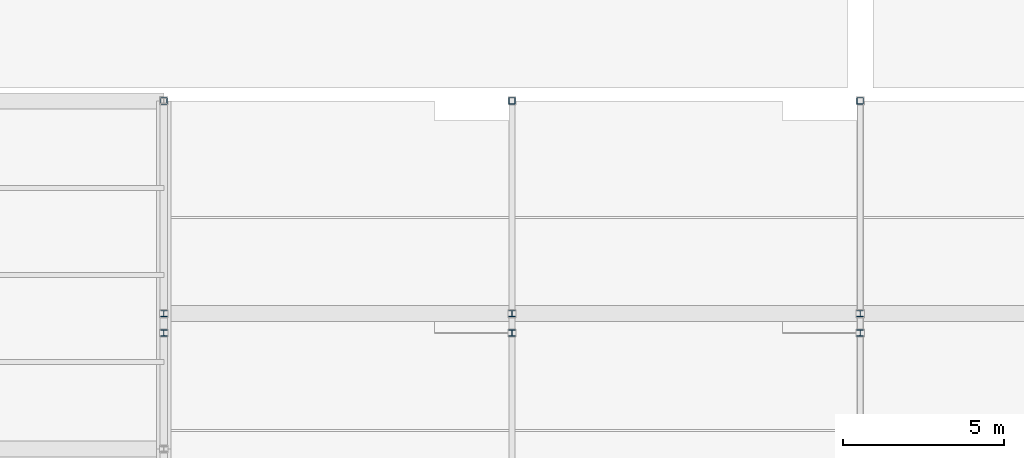
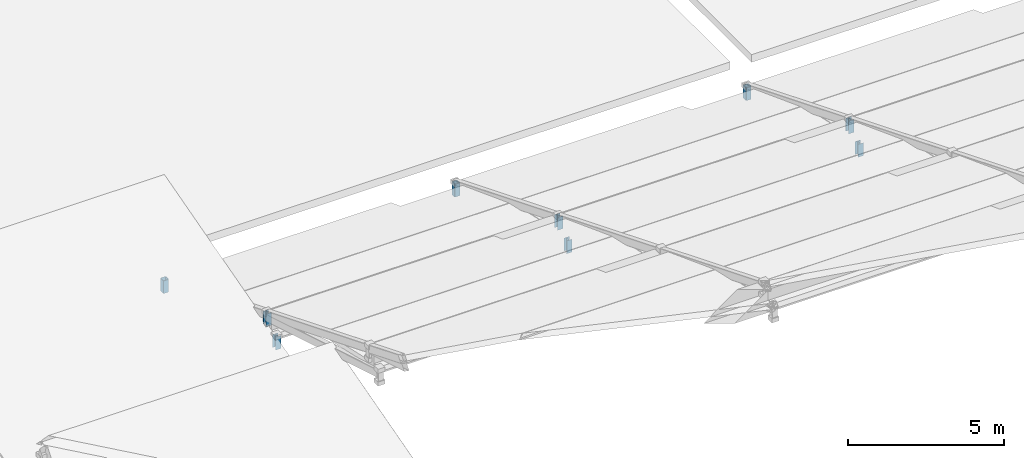
# One storey, part 81 of 112: 9 members.
"""IFC4 building model written with IfcOpenShell, lengths in metres."""

from ifc_helpers import new_model, si_unit, direction, frame, origin, origin_2d, place, context, subcontext, project, spatial, hollow_rectangle, i_section, extrude, material, material_profile, profile_set, type_object, element, save


model = new_model("IFC4")

# Units and contexts
model_context = context("Model", 3, precision=1e-05, world=origin(), true_north=direction((0.0, 1.0)))
body_context = subcontext(model_context, "Body", "Model", "MODEL_VIEW")
ifc_project = project(units=[si_unit("LENGTHUNIT", "METRE"), si_unit("AREAUNIT", "SQUARE_METRE"), si_unit("VOLUMEUNIT", "CUBIC_METRE"), si_unit("PLANEANGLEUNIT", "RADIAN"), si_unit("MASSUNIT", "GRAM", prefix="KILO")], contexts=[model_context])

# Site, building, storey
site_placement = place(None, origin())
site = spatial("IfcSite", under=ifc_project, at=site_placement, CompositionType="ELEMENT")
building_placement = place(site_placement, origin())
building = spatial("IfcBuilding", under=site, at=building_placement, Name="Zwinboog Wholesale Market", CompositionType="ELEMENT")
storey_placement = place(building_placement, frame((0.0, 0.0, 19.080078125)))
storey = spatial("IfcBuildingStorey", under=building, at=storey_placement, Name="Roof", CompositionType="ELEMENT", Elevation=19.080078125)

# Members
ifc_material = material(Name="Steel S355", Category="steel")
ifc_material_profile_1 = material_profile(ifc_material, hollow_rectangle(XDim=0.199951171875, YDim=0.199951171875, WallThickness=0.010009765625, InnerFilletRadius=0.010009765625, OuterFilletRadius=0.02001953125, at=origin_2d()), Name="SHS 200x200x10")
ifc_profile_set_1 = profile_set([ifc_material_profile_1], Name="Steel S355")
member_type_1 = type_object("IfcMemberType", Name="MT-04", PredefinedType="BRACE", material=ifc_profile_set_1)
for number, where, z_axis, x_axis, name in (
    (1, (64.800048828125, 108.0, -10.030029296875), (0.0, 0.0, 1.0), (1.0, 0.0, 0.0), "DB-01 (MEM-Roof-0015)"),
    (2, (75.60009765625, 108.0, -10.030029296875), (0.0, 0.0, 1.0), (1.0, 0.0, 0.0), "DB-01 (MEM-Roof-0045)"),
    (3, (86.39990234375, 108.0, -10.030029296875), (0.0, 0.0, 1.0), (1.0, 0.0, 0.0), "DB-01 (MEM-Roof-0075)"),
):
    element("IfcMember", number, at=place(storey_placement, frame(where, z_axis=z_axis, x_axis=x_axis)), inside=storey, type_object=member_type_1, Name=name, PredefinedType="BRACE", context=body_context, shape_type="SweptSolid", body=[
        extrude(hollow_rectangle(XDim=0.199951171875, YDim=0.199951171875, WallThickness=0.010009765625, InnerFilletRadius=0.010009765625, OuterFilletRadius=0.02001953125, at=origin_2d()), origin(), (0.0, 0.0, 1.0), 0.5),
    ])
ifc_material_profile_2 = material_profile(ifc_material, i_section(OverallWidth=0.199951171875, OverallDepth=0.18994140625, WebThickness=0.006591796875, FlangeThickness=0.010009765625, FilletRadius=0.01806640625, at=origin_2d()), Name="HEA 200")
ifc_profile_set_2 = profile_set([ifc_material_profile_2], Name="Steel S355")
member_type_2 = type_object("IfcMemberType", Name="MT-05", PredefinedType="BRACE", material=ifc_profile_set_2)
for number, where, z_axis, x_axis, name in (
    (4, (64.800048828125, 100.800048828125, -7.880126953125), (0.0, 0.0, 1.0), (1.0, 0.0, 0.0), "DB-02 (MEM-Roof-0016)"),
    (5, (64.800048828125, 101.39990234375, -7.330078125), (0.0, 0.0, 1.0), (1.0, 0.0, 0.0), "DB-02 (MEM-Roof-0018)"),
    (6, (75.60009765625, 100.800048828125, -7.880126953125), (0.0, 0.0, 1.0), (1.0, 0.0, 0.0), "DB-02 (MEM-Roof-0046)"),
    (7, (75.60009765625, 101.39990234375, -7.330078125), (0.0, 0.0, 1.0), (1.0, 0.0, 0.0), "DB-02 (MEM-Roof-0048)"),
    (8, (86.39990234375, 100.800048828125, -7.880126953125), (0.0, 0.0, 1.0), (1.0, 0.0, 0.0), "DB-02 (MEM-Roof-0076)"),
    (9, (86.39990234375, 101.39990234375, -7.330078125), (0.0, 0.0, 1.0), (1.0, 0.0, 0.0), "DB-02 (MEM-Roof-0078)"),
):
    element("IfcMember", number, at=place(storey_placement, frame(where, z_axis=z_axis, x_axis=x_axis)), inside=storey, type_object=member_type_2, Name=name, PredefinedType="BRACE", context=body_context, shape_type="SweptSolid", body=[
        extrude(i_section(OverallWidth=0.199951171875, OverallDepth=0.18994140625, WebThickness=0.006591796875, FlangeThickness=0.010009765625, FilletRadius=0.01806640625, at=origin_2d()), origin(), (0.0, 0.0, 1.0), 0.5),
    ])

save(model, "model.ifc")
